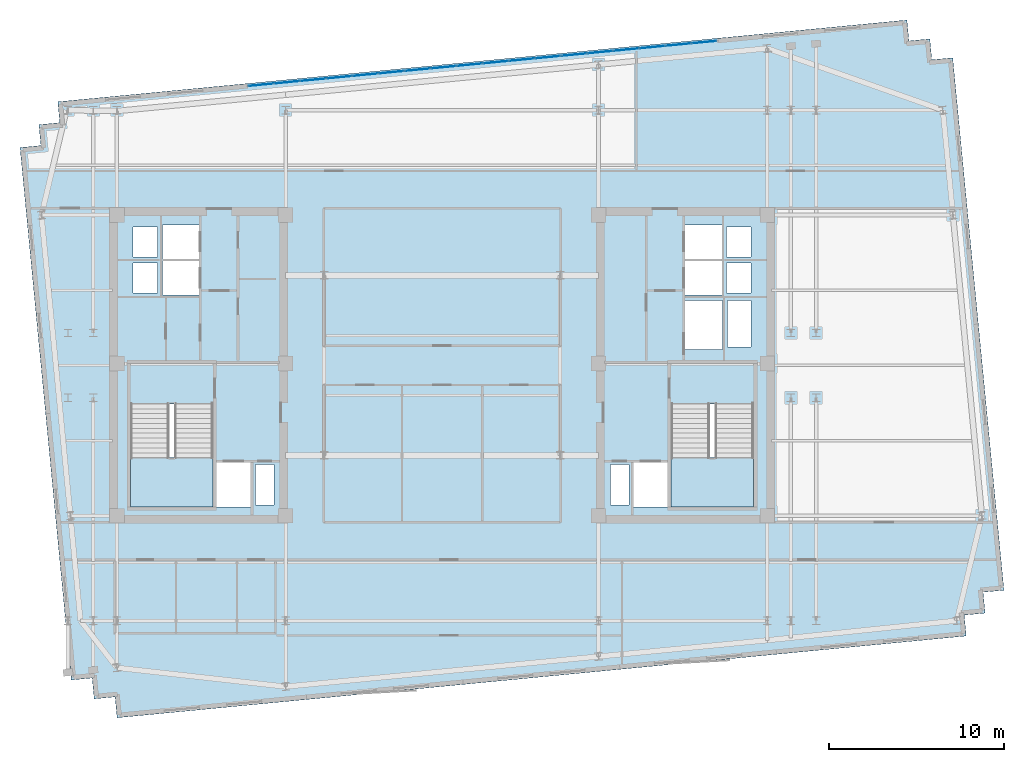
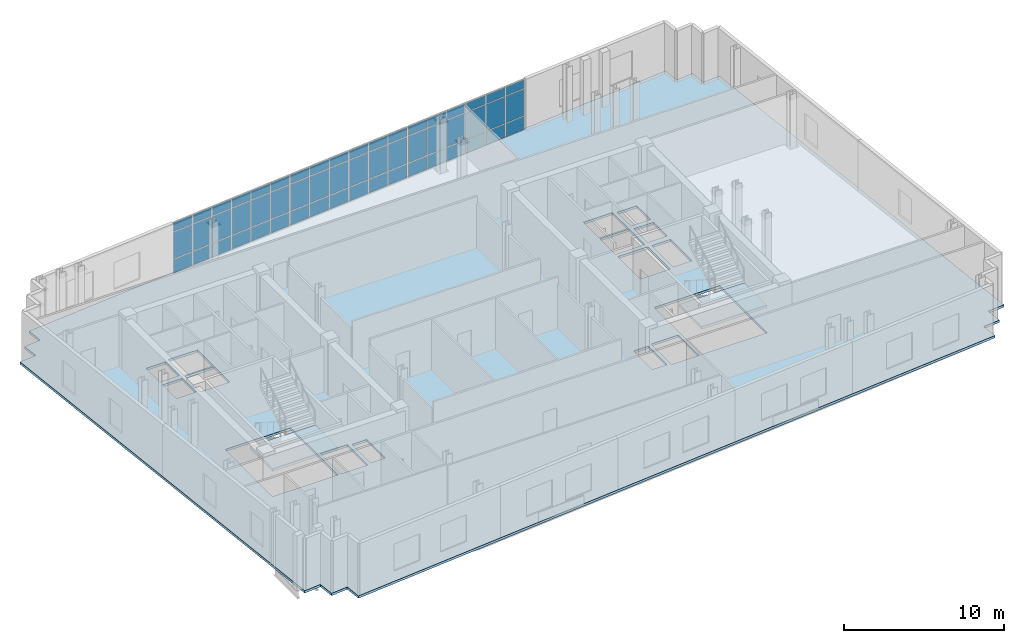
# One storey, part 5 of 11: 54 plates, 3 slabs, 5 elements without a shape of their own.
"""IFC4 building model written with IfcOpenShell, lengths in metres."""

from ifc_helpers import new_model, si_unit, direction, frame, origin, origin_2d, place, context, subcontext, project, spatial, polyline, rectangle, outline, extrude, material, layer, layer_set, type_object, element, aggregate, save


model = new_model("IFC4")

# Units and contexts
model_context = context("Model", 3, precision=1e-05, world=origin(), true_north=direction((0.0, 1.0)))
body_context = subcontext(model_context, "Body", "Model", "MODEL_VIEW")
ifc_project = project(units=[si_unit("LENGTHUNIT", "METRE"), si_unit("AREAUNIT", "SQUARE_METRE"), si_unit("VOLUMEUNIT", "CUBIC_METRE"), si_unit("PLANEANGLEUNIT", "RADIAN"), si_unit("MASSUNIT", "GRAM", prefix="KILO")], contexts=[model_context])

# Site, building, storey
site_placement = place(None, origin())
site = spatial("IfcSite", under=ifc_project, at=site_placement, CompositionType="ELEMENT")
building_placement = place(site_placement, origin())
building = spatial("IfcBuilding", under=site, at=building_placement, Name="Velakula Bourse", CompositionType="ELEMENT")
storey_placement = place(building_placement, frame((0.0, 0.0, 282.75)))
storey = spatial("IfcBuildingStorey", under=building, at=storey_placement, Name="L77", CompositionType="ELEMENT", Elevation=282.75)

# Curtain wall, plates
ifc_material_1 = material(Name="Anodised bronze architectural aluminium", Category="aluminium")
ifc_layer_1 = layer(ifc_material_1, 0.1298828125, Name="Anodised bronze architectural aluminium", Category="aluminium")
ifc_layer_set_1 = layer_set([ifc_layer_1], Name="Anodised bronze architectural aluminium")
curtain_wall_type = type_object("IfcCurtainWallType", Name="CW-OB1", PredefinedType="NOTDEFINED", material=ifc_layer_set_1)
curtain_wall_1_placement = place(storey_placement, origin())
curtain_wall_1 = element("IfcCurtainWall", 1, at=curtain_wall_1_placement, inside=storey, type_object=curtain_wall_type, Name="L77 Public Observation Panoramic Curtain Wall B2", PredefinedType="NOTDEFINED")
ifc_material_2 = material(Name="Double-glazed solar-control Low-E glass", Category="glass")
ifc_layer_2 = layer(ifc_material_2, 0.02001953125, Name="Double-glazed solar-control Low-E glass", Category="glass")
ifc_layer_set_2 = layer_set([ifc_layer_2], Name="Double-glazed solar-control Low-E glass")
plate_type = type_object("IfcPlateType", Name="PNL-CW-OB1", PredefinedType="CURTAIN_PANEL", material=ifc_layer_set_2)
plate_1_placement = place(storey_placement, frame((-10.3583984375, 16.048583984375, 0.06005859375), z_axis=(0.0, 0.0, 1.0), x_axis=(0.995396256016, 0.095845153814, 0.0)))
plate_1 = element("IfcPlate", 2, at=plate_1_placement, type_object=plate_type, Name="CW-OB1 panel 1.1", PredefinedType="CURTAIN_PANEL", context=body_context, shape_type="SweptSolid", body=[
    extrude(rectangle(XDim=1.409912109375, YDim=0.028076171875, at=origin_2d()), origin(), (0.0, 0.0, 1.0), 1.010009765625),
])
plate_2_placement = place(storey_placement, frame((-10.3583984375, 16.048583984375, 1.1298828125), z_axis=(0.0, 0.0, 1.0), x_axis=(0.995396256016, 0.095845153814, 0.0)))
plate_2 = element("IfcPlate", 3, at=plate_2_placement, type_object=plate_type, Name="CW-OB1 panel 1.2", PredefinedType="CURTAIN_PANEL", context=body_context, shape_type="SweptSolid", body=[
    extrude(rectangle(XDim=1.409912109375, YDim=0.028076171875, at=origin_2d()), origin(), (0.0, 0.0, 1.0), 2.02001953125),
])
plate_3_placement = place(storey_placement, frame((-10.3583984375, 16.048583984375, 3.2099609375), z_axis=(0.0, 0.0, 1.0), x_axis=(0.995396256016, 0.095845153814, 0.0)))
plate_3 = element("IfcPlate", 4, at=plate_3_placement, type_object=plate_type, Name="CW-OB1 panel 1.3", PredefinedType="CURTAIN_PANEL", context=body_context, shape_type="SweptSolid", body=[
    extrude(rectangle(XDim=1.409912109375, YDim=0.028076171875, at=origin_2d()), origin(), (0.0, 0.0, 1.0), 0.659912109375),
])
plate_4_placement = place(storey_placement, frame((-8.88037109375, 16.19091796875, 0.06005859375), z_axis=(0.0, 0.0, 1.0), x_axis=(0.995396256016, 0.095845153814, 0.0)))
plate_4 = element("IfcPlate", 5, at=plate_4_placement, type_object=plate_type, Name="CW-OB1 panel 2.1", PredefinedType="CURTAIN_PANEL", context=body_context, shape_type="SweptSolid", body=[
    extrude(rectangle(XDim=1.43994140625, YDim=0.028076171875, at=origin_2d()), origin(), (0.0, 0.0, 1.0), 1.010009765625),
])
plate_5_placement = place(storey_placement, frame((-8.88037109375, 16.19091796875, 1.1298828125), z_axis=(0.0, 0.0, 1.0), x_axis=(0.995396256016, 0.095845153814, 0.0)))
plate_5 = element("IfcPlate", 6, at=plate_5_placement, type_object=plate_type, Name="CW-OB1 panel 2.2", PredefinedType="CURTAIN_PANEL", context=body_context, shape_type="SweptSolid", body=[
    extrude(rectangle(XDim=1.43994140625, YDim=0.028076171875, at=origin_2d()), origin(), (0.0, 0.0, 1.0), 2.02001953125),
])
plate_6_placement = place(storey_placement, frame((-8.88037109375, 16.19091796875, 3.2099609375), z_axis=(0.0, 0.0, 1.0), x_axis=(0.995396256016, 0.095845153814, 0.0)))
plate_6 = element("IfcPlate", 7, at=plate_6_placement, type_object=plate_type, Name="CW-OB1 panel 2.3", PredefinedType="CURTAIN_PANEL", context=body_context, shape_type="SweptSolid", body=[
    extrude(rectangle(XDim=1.43994140625, YDim=0.028076171875, at=origin_2d()), origin(), (0.0, 0.0, 1.0), 0.659912109375),
])
plate_7_placement = place(storey_placement, frame((-7.38720703125, 16.334716796875, 0.06005859375), z_axis=(0.0, 0.0, 1.0), x_axis=(0.995396256016, 0.095845153814, 0.0)))
plate_7 = element("IfcPlate", 8, at=plate_7_placement, type_object=plate_type, Name="CW-OB1 panel 3.1", PredefinedType="CURTAIN_PANEL", context=body_context, shape_type="SweptSolid", body=[
    extrude(rectangle(XDim=1.43994140625, YDim=0.028076171875, at=origin_2d()), origin(), (0.0, 0.0, 1.0), 1.010009765625),
])
plate_8_placement = place(storey_placement, frame((-7.38720703125, 16.334716796875, 1.1298828125), z_axis=(0.0, 0.0, 1.0), x_axis=(0.995396256016, 0.095845153814, 0.0)))
plate_8 = element("IfcPlate", 9, at=plate_8_placement, type_object=plate_type, Name="CW-OB1 panel 3.2", PredefinedType="CURTAIN_PANEL", context=body_context, shape_type="SweptSolid", body=[
    extrude(rectangle(XDim=1.43994140625, YDim=0.028076171875, at=origin_2d()), origin(), (0.0, 0.0, 1.0), 2.02001953125),
])
plate_9_placement = place(storey_placement, frame((-7.38720703125, 16.334716796875, 3.2099609375), z_axis=(0.0, 0.0, 1.0), x_axis=(0.995396256016, 0.095845153814, 0.0)))
plate_9 = element("IfcPlate", 10, at=plate_9_placement, type_object=plate_type, Name="CW-OB1 panel 3.3", PredefinedType="CURTAIN_PANEL", context=body_context, shape_type="SweptSolid", body=[
    extrude(rectangle(XDim=1.43994140625, YDim=0.028076171875, at=origin_2d()), origin(), (0.0, 0.0, 1.0), 0.659912109375),
])
plate_10_placement = place(storey_placement, frame((-5.89404296875, 16.478515625, 0.06005859375), z_axis=(0.0, 0.0, 1.0), x_axis=(0.995396256016, 0.095845153814, 0.0)))
plate_10 = element("IfcPlate", 11, at=plate_10_placement, type_object=plate_type, Name="CW-OB1 panel 4.1", PredefinedType="CURTAIN_PANEL", context=body_context, shape_type="SweptSolid", body=[
    extrude(rectangle(XDim=1.43994140625, YDim=0.028076171875, at=origin_2d()), origin(), (0.0, 0.0, 1.0), 1.010009765625),
])
plate_11_placement = place(storey_placement, frame((-5.89404296875, 16.478515625, 1.1298828125), z_axis=(0.0, 0.0, 1.0), x_axis=(0.995396256016, 0.095845153814, 0.0)))
plate_11 = element("IfcPlate", 12, at=plate_11_placement, type_object=plate_type, Name="CW-OB1 panel 4.2", PredefinedType="CURTAIN_PANEL", context=body_context, shape_type="SweptSolid", body=[
    extrude(rectangle(XDim=1.43994140625, YDim=0.028076171875, at=origin_2d()), origin(), (0.0, 0.0, 1.0), 2.02001953125),
])
plate_12_placement = place(storey_placement, frame((-5.89404296875, 16.478515625, 3.2099609375), z_axis=(0.0, 0.0, 1.0), x_axis=(0.995396256016, 0.095845153814, 0.0)))
plate_12 = element("IfcPlate", 13, at=plate_12_placement, type_object=plate_type, Name="CW-OB1 panel 4.3", PredefinedType="CURTAIN_PANEL", context=body_context, shape_type="SweptSolid", body=[
    extrude(rectangle(XDim=1.43994140625, YDim=0.028076171875, at=origin_2d()), origin(), (0.0, 0.0, 1.0), 0.659912109375),
])
plate_13_placement = place(storey_placement, frame((-4.401123046875, 16.622314453125, 0.06005859375), z_axis=(0.0, 0.0, 1.0), x_axis=(0.995396256016, 0.095845153814, 0.0)))
plate_13 = element("IfcPlate", 14, at=plate_13_placement, type_object=plate_type, Name="CW-OB1 panel 5.1", PredefinedType="CURTAIN_PANEL", context=body_context, shape_type="SweptSolid", body=[
    extrude(rectangle(XDim=1.43994140625, YDim=0.028076171875, at=origin_2d()), origin(), (0.0, 0.0, 1.0), 1.010009765625),
])
plate_14_placement = place(storey_placement, frame((-4.401123046875, 16.622314453125, 1.1298828125), z_axis=(0.0, 0.0, 1.0), x_axis=(0.995396256016, 0.095845153814, 0.0)))
plate_14 = element("IfcPlate", 15, at=plate_14_placement, type_object=plate_type, Name="CW-OB1 panel 5.2", PredefinedType="CURTAIN_PANEL", context=body_context, shape_type="SweptSolid", body=[
    extrude(rectangle(XDim=1.43994140625, YDim=0.028076171875, at=origin_2d()), origin(), (0.0, 0.0, 1.0), 2.02001953125),
])
plate_15_placement = place(storey_placement, frame((-4.401123046875, 16.622314453125, 3.2099609375), z_axis=(0.0, 0.0, 1.0), x_axis=(0.995396256016, 0.095845153814, 0.0)))
plate_15 = element("IfcPlate", 16, at=plate_15_placement, type_object=plate_type, Name="CW-OB1 panel 5.3", PredefinedType="CURTAIN_PANEL", context=body_context, shape_type="SweptSolid", body=[
    extrude(rectangle(XDim=1.43994140625, YDim=0.028076171875, at=origin_2d()), origin(), (0.0, 0.0, 1.0), 0.659912109375),
])
plate_16_placement = place(storey_placement, frame((-2.9228515625, 16.7646484375, 0.06005859375), z_axis=(0.0, 0.0, 1.0), x_axis=(0.995396256016, 0.095845153814, 0.0)))
plate_16 = element("IfcPlate", 17, at=plate_16_placement, type_object=plate_type, Name="CW-OB1 panel 6.1", PredefinedType="CURTAIN_PANEL", context=body_context, shape_type="SweptSolid", body=[
    extrude(rectangle(XDim=1.409912109375, YDim=0.028076171875, at=origin_2d()), origin(), (0.0, 0.0, 1.0), 1.010009765625),
])
plate_17_placement = place(storey_placement, frame((-2.9228515625, 16.7646484375, 1.1298828125), z_axis=(0.0, 0.0, 1.0), x_axis=(0.995396256016, 0.095845153814, 0.0)))
plate_17 = element("IfcPlate", 18, at=plate_17_placement, type_object=plate_type, Name="CW-OB1 panel 6.2", PredefinedType="CURTAIN_PANEL", context=body_context, shape_type="SweptSolid", body=[
    extrude(rectangle(XDim=1.409912109375, YDim=0.028076171875, at=origin_2d()), origin(), (0.0, 0.0, 1.0), 2.02001953125),
])
plate_18_placement = place(storey_placement, frame((-2.9228515625, 16.7646484375, 3.2099609375), z_axis=(0.0, 0.0, 1.0), x_axis=(0.995396256016, 0.095845153814, 0.0)))
plate_18 = element("IfcPlate", 19, at=plate_18_placement, type_object=plate_type, Name="CW-OB1 panel 6.3", PredefinedType="CURTAIN_PANEL", context=body_context, shape_type="SweptSolid", body=[
    extrude(rectangle(XDim=1.409912109375, YDim=0.028076171875, at=origin_2d()), origin(), (0.0, 0.0, 1.0), 0.659912109375),
])
aggregate(curtain_wall_1, [plate_1, plate_2, plate_3, plate_4, plate_5, plate_6, plate_7, plate_8, plate_9, plate_10, plate_11, plate_12, plate_13, plate_14, plate_15, plate_16, plate_17, plate_18])

curtain_wall_2_placement = place(storey_placement, origin())
curtain_wall_2 = element("IfcCurtainWall", 20, at=curtain_wall_2_placement, inside=storey, type_object=curtain_wall_type, Name="L77 Public Observation Panoramic Curtain Wall B3", PredefinedType="NOTDEFINED")
plate_19_placement = place(storey_placement, frame((-1.39990234375, 16.9111328125, 0.06005859375), z_axis=(0.0, 0.0, 1.0), x_axis=(0.995396358085, 0.095844093769, 0.0)))
plate_19 = element("IfcPlate", 21, at=plate_19_placement, type_object=plate_type, Name="CW-OB1 panel 1.1", PredefinedType="CURTAIN_PANEL", context=body_context, shape_type="SweptSolid", body=[
    extrude(rectangle(XDim=1.409912109375, YDim=0.028076171875, at=origin_2d()), origin(), (0.0, 0.0, 1.0), 1.010009765625),
])
plate_20_placement = place(storey_placement, frame((-1.39990234375, 16.9111328125, 1.1298828125), z_axis=(0.0, 0.0, 1.0), x_axis=(0.995396358085, 0.095844093769, 0.0)))
plate_20 = element("IfcPlate", 22, at=plate_20_placement, type_object=plate_type, Name="CW-OB1 panel 1.2", PredefinedType="CURTAIN_PANEL", context=body_context, shape_type="SweptSolid", body=[
    extrude(rectangle(XDim=1.409912109375, YDim=0.028076171875, at=origin_2d()), origin(), (0.0, 0.0, 1.0), 2.02001953125),
])
plate_21_placement = place(storey_placement, frame((-1.39990234375, 16.9111328125, 3.2099609375), z_axis=(0.0, 0.0, 1.0), x_axis=(0.995396358085, 0.095844093769, 0.0)))
plate_21 = element("IfcPlate", 23, at=plate_21_placement, type_object=plate_type, Name="CW-OB1 panel 1.3", PredefinedType="CURTAIN_PANEL", context=body_context, shape_type="SweptSolid", body=[
    extrude(rectangle(XDim=1.409912109375, YDim=0.028076171875, at=origin_2d()), origin(), (0.0, 0.0, 1.0), 0.659912109375),
])
plate_22_placement = place(storey_placement, frame((0.078369140625, 17.053466796875, 0.06005859375), z_axis=(0.0, 0.0, 1.0), x_axis=(0.995396358085, 0.095844093769, 0.0)))
plate_22 = element("IfcPlate", 24, at=plate_22_placement, type_object=plate_type, Name="CW-OB1 panel 2.1", PredefinedType="CURTAIN_PANEL", context=body_context, shape_type="SweptSolid", body=[
    extrude(rectangle(XDim=1.43994140625, YDim=0.028076171875, at=origin_2d()), origin(), (0.0, 0.0, 1.0), 1.010009765625),
])
plate_23_placement = place(storey_placement, frame((0.078369140625, 17.053466796875, 1.1298828125), z_axis=(0.0, 0.0, 1.0), x_axis=(0.995396358085, 0.095844093769, 0.0)))
plate_23 = element("IfcPlate", 25, at=plate_23_placement, type_object=plate_type, Name="CW-OB1 panel 2.2", PredefinedType="CURTAIN_PANEL", context=body_context, shape_type="SweptSolid", body=[
    extrude(rectangle(XDim=1.43994140625, YDim=0.028076171875, at=origin_2d()), origin(), (0.0, 0.0, 1.0), 2.02001953125),
])
plate_24_placement = place(storey_placement, frame((0.078369140625, 17.053466796875, 3.2099609375), z_axis=(0.0, 0.0, 1.0), x_axis=(0.995396358085, 0.095844093769, 0.0)))
plate_24 = element("IfcPlate", 26, at=plate_24_placement, type_object=plate_type, Name="CW-OB1 panel 2.3", PredefinedType="CURTAIN_PANEL", context=body_context, shape_type="SweptSolid", body=[
    extrude(rectangle(XDim=1.43994140625, YDim=0.028076171875, at=origin_2d()), origin(), (0.0, 0.0, 1.0), 0.659912109375),
])
plate_25_placement = place(storey_placement, frame((1.5712890625, 17.197265625, 0.06005859375), z_axis=(0.0, 0.0, 1.0), x_axis=(0.995396358085, 0.095844093769, 0.0)))
plate_25 = element("IfcPlate", 27, at=plate_25_placement, type_object=plate_type, Name="CW-OB1 panel 3.1", PredefinedType="CURTAIN_PANEL", context=body_context, shape_type="SweptSolid", body=[
    extrude(rectangle(XDim=1.43994140625, YDim=0.028076171875, at=origin_2d()), origin(), (0.0, 0.0, 1.0), 1.010009765625),
])
plate_26_placement = place(storey_placement, frame((1.5712890625, 17.197265625, 1.1298828125), z_axis=(0.0, 0.0, 1.0), x_axis=(0.995396358085, 0.095844093769, 0.0)))
plate_26 = element("IfcPlate", 28, at=plate_26_placement, type_object=plate_type, Name="CW-OB1 panel 3.2", PredefinedType="CURTAIN_PANEL", context=body_context, shape_type="SweptSolid", body=[
    extrude(rectangle(XDim=1.43994140625, YDim=0.028076171875, at=origin_2d()), origin(), (0.0, 0.0, 1.0), 2.02001953125),
])
plate_27_placement = place(storey_placement, frame((1.5712890625, 17.197265625, 3.2099609375), z_axis=(0.0, 0.0, 1.0), x_axis=(0.995396358085, 0.095844093769, 0.0)))
plate_27 = element("IfcPlate", 29, at=plate_27_placement, type_object=plate_type, Name="CW-OB1 panel 3.3", PredefinedType="CURTAIN_PANEL", context=body_context, shape_type="SweptSolid", body=[
    extrude(rectangle(XDim=1.43994140625, YDim=0.028076171875, at=origin_2d()), origin(), (0.0, 0.0, 1.0), 0.659912109375),
])
plate_28_placement = place(storey_placement, frame((3.064453125, 17.341064453125, 0.06005859375), z_axis=(0.0, 0.0, 1.0), x_axis=(0.995396358085, 0.095844093769, 0.0)))
plate_28 = element("IfcPlate", 30, at=plate_28_placement, type_object=plate_type, Name="CW-OB1 panel 4.1", PredefinedType="CURTAIN_PANEL", context=body_context, shape_type="SweptSolid", body=[
    extrude(rectangle(XDim=1.43994140625, YDim=0.028076171875, at=origin_2d()), origin(), (0.0, 0.0, 1.0), 1.010009765625),
])
plate_29_placement = place(storey_placement, frame((3.064453125, 17.341064453125, 1.1298828125), z_axis=(0.0, 0.0, 1.0), x_axis=(0.995396358085, 0.095844093769, 0.0)))
plate_29 = element("IfcPlate", 31, at=plate_29_placement, type_object=plate_type, Name="CW-OB1 panel 4.2", PredefinedType="CURTAIN_PANEL", context=body_context, shape_type="SweptSolid", body=[
    extrude(rectangle(XDim=1.43994140625, YDim=0.028076171875, at=origin_2d()), origin(), (0.0, 0.0, 1.0), 2.02001953125),
])
plate_30_placement = place(storey_placement, frame((3.064453125, 17.341064453125, 3.2099609375), z_axis=(0.0, 0.0, 1.0), x_axis=(0.995396358085, 0.095844093769, 0.0)))
plate_30 = element("IfcPlate", 32, at=plate_30_placement, type_object=plate_type, Name="CW-OB1 panel 4.3", PredefinedType="CURTAIN_PANEL", context=body_context, shape_type="SweptSolid", body=[
    extrude(rectangle(XDim=1.43994140625, YDim=0.028076171875, at=origin_2d()), origin(), (0.0, 0.0, 1.0), 0.659912109375),
])
plate_31_placement = place(storey_placement, frame((4.5576171875, 17.48486328125, 0.06005859375), z_axis=(0.0, 0.0, 1.0), x_axis=(0.995396358085, 0.095844093769, 0.0)))
plate_31 = element("IfcPlate", 33, at=plate_31_placement, type_object=plate_type, Name="CW-OB1 panel 5.1", PredefinedType="CURTAIN_PANEL", context=body_context, shape_type="SweptSolid", body=[
    extrude(rectangle(XDim=1.43994140625, YDim=0.028076171875, at=origin_2d()), origin(), (0.0, 0.0, 1.0), 1.010009765625),
])
plate_32_placement = place(storey_placement, frame((4.5576171875, 17.48486328125, 1.1298828125), z_axis=(0.0, 0.0, 1.0), x_axis=(0.995396358085, 0.095844093769, 0.0)))
plate_32 = element("IfcPlate", 34, at=plate_32_placement, type_object=plate_type, Name="CW-OB1 panel 5.2", PredefinedType="CURTAIN_PANEL", context=body_context, shape_type="SweptSolid", body=[
    extrude(rectangle(XDim=1.43994140625, YDim=0.028076171875, at=origin_2d()), origin(), (0.0, 0.0, 1.0), 2.02001953125),
])
plate_33_placement = place(storey_placement, frame((4.5576171875, 17.48486328125, 3.2099609375), z_axis=(0.0, 0.0, 1.0), x_axis=(0.995396358085, 0.095844093769, 0.0)))
plate_33 = element("IfcPlate", 35, at=plate_33_placement, type_object=plate_type, Name="CW-OB1 panel 5.3", PredefinedType="CURTAIN_PANEL", context=body_context, shape_type="SweptSolid", body=[
    extrude(rectangle(XDim=1.43994140625, YDim=0.028076171875, at=origin_2d()), origin(), (0.0, 0.0, 1.0), 0.659912109375),
])
plate_34_placement = place(storey_placement, frame((6.03564453125, 17.627197265625, 0.06005859375), z_axis=(0.0, 0.0, 1.0), x_axis=(0.995396358085, 0.095844093769, 0.0)))
plate_34 = element("IfcPlate", 36, at=plate_34_placement, type_object=plate_type, Name="CW-OB1 panel 6.1", PredefinedType="CURTAIN_PANEL", context=body_context, shape_type="SweptSolid", body=[
    extrude(rectangle(XDim=1.409912109375, YDim=0.028076171875, at=origin_2d()), origin(), (0.0, 0.0, 1.0), 1.010009765625),
])
plate_35_placement = place(storey_placement, frame((6.03564453125, 17.627197265625, 1.1298828125), z_axis=(0.0, 0.0, 1.0), x_axis=(0.995396358085, 0.095844093769, 0.0)))
plate_35 = element("IfcPlate", 37, at=plate_35_placement, type_object=plate_type, Name="CW-OB1 panel 6.2", PredefinedType="CURTAIN_PANEL", context=body_context, shape_type="SweptSolid", body=[
    extrude(rectangle(XDim=1.409912109375, YDim=0.028076171875, at=origin_2d()), origin(), (0.0, 0.0, 1.0), 2.02001953125),
])
plate_36_placement = place(storey_placement, frame((6.03564453125, 17.627197265625, 3.2099609375), z_axis=(0.0, 0.0, 1.0), x_axis=(0.995396358085, 0.095844093769, 0.0)))
plate_36 = element("IfcPlate", 38, at=plate_36_placement, type_object=plate_type, Name="CW-OB1 panel 6.3", PredefinedType="CURTAIN_PANEL", context=body_context, shape_type="SweptSolid", body=[
    extrude(rectangle(XDim=1.409912109375, YDim=0.028076171875, at=origin_2d()), origin(), (0.0, 0.0, 1.0), 0.659912109375),
])
aggregate(curtain_wall_2, [plate_19, plate_20, plate_21, plate_22, plate_23, plate_24, plate_25, plate_26, plate_27, plate_28, plate_29, plate_30, plate_31, plate_32, plate_33, plate_34, plate_35, plate_36])

curtain_wall_3_placement = place(storey_placement, origin())
curtain_wall_3 = element("IfcCurtainWall", 39, at=curtain_wall_3_placement, inside=storey, type_object=curtain_wall_type, Name="L77 Public Observation Panoramic Curtain Wall B4", PredefinedType="NOTDEFINED")
plate_37_placement = place(storey_placement, frame((7.55859375, 17.77392578125, 0.06005859375), z_axis=(0.0, 0.0, 1.0), x_axis=(0.995396358085, 0.095844093769, 0.0)))
plate_37 = element("IfcPlate", 40, at=plate_37_placement, type_object=plate_type, Name="CW-OB1 panel 1.1", PredefinedType="CURTAIN_PANEL", context=body_context, shape_type="SweptSolid", body=[
    extrude(rectangle(XDim=1.409912109375, YDim=0.028076171875, at=origin_2d()), origin(), (0.0, 0.0, 1.0), 1.010009765625),
])
plate_38_placement = place(storey_placement, frame((7.55859375, 17.77392578125, 1.1298828125), z_axis=(0.0, 0.0, 1.0), x_axis=(0.995396358085, 0.095844093769, 0.0)))
plate_38 = element("IfcPlate", 41, at=plate_38_placement, type_object=plate_type, Name="CW-OB1 panel 1.2", PredefinedType="CURTAIN_PANEL", context=body_context, shape_type="SweptSolid", body=[
    extrude(rectangle(XDim=1.409912109375, YDim=0.028076171875, at=origin_2d()), origin(), (0.0, 0.0, 1.0), 2.02001953125),
])
plate_39_placement = place(storey_placement, frame((7.55859375, 17.77392578125, 3.2099609375), z_axis=(0.0, 0.0, 1.0), x_axis=(0.995396358085, 0.095844093769, 0.0)))
plate_39 = element("IfcPlate", 42, at=plate_39_placement, type_object=plate_type, Name="CW-OB1 panel 1.3", PredefinedType="CURTAIN_PANEL", context=body_context, shape_type="SweptSolid", body=[
    extrude(rectangle(XDim=1.409912109375, YDim=0.028076171875, at=origin_2d()), origin(), (0.0, 0.0, 1.0), 0.659912109375),
])
plate_40_placement = place(storey_placement, frame((9.036865234375, 17.916259765625, 0.06005859375), z_axis=(0.0, 0.0, 1.0), x_axis=(0.995396358085, 0.095844093769, 0.0)))
plate_40 = element("IfcPlate", 43, at=plate_40_placement, type_object=plate_type, Name="CW-OB1 panel 2.1", PredefinedType="CURTAIN_PANEL", context=body_context, shape_type="SweptSolid", body=[
    extrude(rectangle(XDim=1.43994140625, YDim=0.028076171875, at=origin_2d()), origin(), (0.0, 0.0, 1.0), 1.010009765625),
])
plate_41_placement = place(storey_placement, frame((9.036865234375, 17.916259765625, 1.1298828125), z_axis=(0.0, 0.0, 1.0), x_axis=(0.995396358085, 0.095844093769, 0.0)))
plate_41 = element("IfcPlate", 44, at=plate_41_placement, type_object=plate_type, Name="CW-OB1 panel 2.2", PredefinedType="CURTAIN_PANEL", context=body_context, shape_type="SweptSolid", body=[
    extrude(rectangle(XDim=1.43994140625, YDim=0.028076171875, at=origin_2d()), origin(), (0.0, 0.0, 1.0), 2.02001953125),
])
plate_42_placement = place(storey_placement, frame((9.036865234375, 17.916259765625, 3.2099609375), z_axis=(0.0, 0.0, 1.0), x_axis=(0.995396358085, 0.095844093769, 0.0)))
plate_42 = element("IfcPlate", 45, at=plate_42_placement, type_object=plate_type, Name="CW-OB1 panel 2.3", PredefinedType="CURTAIN_PANEL", context=body_context, shape_type="SweptSolid", body=[
    extrude(rectangle(XDim=1.43994140625, YDim=0.028076171875, at=origin_2d()), origin(), (0.0, 0.0, 1.0), 0.659912109375),
])
plate_43_placement = place(storey_placement, frame((10.530029296875, 18.059814453125, 0.06005859375), z_axis=(0.0, 0.0, 1.0), x_axis=(0.995396358085, 0.095844093769, 0.0)))
plate_43 = element("IfcPlate", 46, at=plate_43_placement, type_object=plate_type, Name="CW-OB1 panel 3.1", PredefinedType="CURTAIN_PANEL", context=body_context, shape_type="SweptSolid", body=[
    extrude(rectangle(XDim=1.43994140625, YDim=0.028076171875, at=origin_2d()), origin(), (0.0, 0.0, 1.0), 1.010009765625),
])
plate_44_placement = place(storey_placement, frame((10.530029296875, 18.059814453125, 1.1298828125), z_axis=(0.0, 0.0, 1.0), x_axis=(0.995396358085, 0.095844093769, 0.0)))
plate_44 = element("IfcPlate", 47, at=plate_44_placement, type_object=plate_type, Name="CW-OB1 panel 3.2", PredefinedType="CURTAIN_PANEL", context=body_context, shape_type="SweptSolid", body=[
    extrude(rectangle(XDim=1.43994140625, YDim=0.028076171875, at=origin_2d()), origin(), (0.0, 0.0, 1.0), 2.02001953125),
])
plate_45_placement = place(storey_placement, frame((10.530029296875, 18.059814453125, 3.2099609375), z_axis=(0.0, 0.0, 1.0), x_axis=(0.995396358085, 0.095844093769, 0.0)))
plate_45 = element("IfcPlate", 48, at=plate_45_placement, type_object=plate_type, Name="CW-OB1 panel 3.3", PredefinedType="CURTAIN_PANEL", context=body_context, shape_type="SweptSolid", body=[
    extrude(rectangle(XDim=1.43994140625, YDim=0.028076171875, at=origin_2d()), origin(), (0.0, 0.0, 1.0), 0.659912109375),
])
plate_46_placement = place(storey_placement, frame((12.02294921875, 18.20361328125, 0.06005859375), z_axis=(0.0, 0.0, 1.0), x_axis=(0.995396358085, 0.095844093769, 0.0)))
plate_46 = element("IfcPlate", 49, at=plate_46_placement, type_object=plate_type, Name="CW-OB1 panel 4.1", PredefinedType="CURTAIN_PANEL", context=body_context, shape_type="SweptSolid", body=[
    extrude(rectangle(XDim=1.43994140625, YDim=0.028076171875, at=origin_2d()), origin(), (0.0, 0.0, 1.0), 1.010009765625),
])
plate_47_placement = place(storey_placement, frame((12.02294921875, 18.20361328125, 1.1298828125), z_axis=(0.0, 0.0, 1.0), x_axis=(0.995396358085, 0.095844093769, 0.0)))
plate_47 = element("IfcPlate", 50, at=plate_47_placement, type_object=plate_type, Name="CW-OB1 panel 4.2", PredefinedType="CURTAIN_PANEL", context=body_context, shape_type="SweptSolid", body=[
    extrude(rectangle(XDim=1.43994140625, YDim=0.028076171875, at=origin_2d()), origin(), (0.0, 0.0, 1.0), 2.02001953125),
])
plate_48_placement = place(storey_placement, frame((12.02294921875, 18.20361328125, 3.2099609375), z_axis=(0.0, 0.0, 1.0), x_axis=(0.995396358085, 0.095844093769, 0.0)))
plate_48 = element("IfcPlate", 51, at=plate_48_placement, type_object=plate_type, Name="CW-OB1 panel 4.3", PredefinedType="CURTAIN_PANEL", context=body_context, shape_type="SweptSolid", body=[
    extrude(rectangle(XDim=1.43994140625, YDim=0.028076171875, at=origin_2d()), origin(), (0.0, 0.0, 1.0), 0.659912109375),
])
plate_49_placement = place(storey_placement, frame((13.51611328125, 18.347412109375, 0.06005859375), z_axis=(0.0, 0.0, 1.0), x_axis=(0.995396358085, 0.095844093769, 0.0)))
plate_49 = element("IfcPlate", 52, at=plate_49_placement, type_object=plate_type, Name="CW-OB1 panel 5.1", PredefinedType="CURTAIN_PANEL", context=body_context, shape_type="SweptSolid", body=[
    extrude(rectangle(XDim=1.43994140625, YDim=0.028076171875, at=origin_2d()), origin(), (0.0, 0.0, 1.0), 1.010009765625),
])
plate_50_placement = place(storey_placement, frame((13.51611328125, 18.347412109375, 1.1298828125), z_axis=(0.0, 0.0, 1.0), x_axis=(0.995396358085, 0.095844093769, 0.0)))
plate_50 = element("IfcPlate", 53, at=plate_50_placement, type_object=plate_type, Name="CW-OB1 panel 5.2", PredefinedType="CURTAIN_PANEL", context=body_context, shape_type="SweptSolid", body=[
    extrude(rectangle(XDim=1.43994140625, YDim=0.028076171875, at=origin_2d()), origin(), (0.0, 0.0, 1.0), 2.02001953125),
])
plate_51_placement = place(storey_placement, frame((13.51611328125, 18.347412109375, 3.2099609375), z_axis=(0.0, 0.0, 1.0), x_axis=(0.995396358085, 0.095844093769, 0.0)))
plate_51 = element("IfcPlate", 54, at=plate_51_placement, type_object=plate_type, Name="CW-OB1 panel 5.3", PredefinedType="CURTAIN_PANEL", context=body_context, shape_type="SweptSolid", body=[
    extrude(rectangle(XDim=1.43994140625, YDim=0.028076171875, at=origin_2d()), origin(), (0.0, 0.0, 1.0), 0.659912109375),
])
plate_52_placement = place(storey_placement, frame((14.994384765625, 18.48974609375, 0.06005859375), z_axis=(0.0, 0.0, 1.0), x_axis=(0.995396358085, 0.095844093769, 0.0)))
plate_52 = element("IfcPlate", 55, at=plate_52_placement, type_object=plate_type, Name="CW-OB1 panel 6.1", PredefinedType="CURTAIN_PANEL", context=body_context, shape_type="SweptSolid", body=[
    extrude(rectangle(XDim=1.409912109375, YDim=0.028076171875, at=origin_2d()), origin(), (0.0, 0.0, 1.0), 1.010009765625),
])
plate_53_placement = place(storey_placement, frame((14.994384765625, 18.48974609375, 1.1298828125), z_axis=(0.0, 0.0, 1.0), x_axis=(0.995396358085, 0.095844093769, 0.0)))
plate_53 = element("IfcPlate", 56, at=plate_53_placement, type_object=plate_type, Name="CW-OB1 panel 6.2", PredefinedType="CURTAIN_PANEL", context=body_context, shape_type="SweptSolid", body=[
    extrude(rectangle(XDim=1.409912109375, YDim=0.028076171875, at=origin_2d()), origin(), (0.0, 0.0, 1.0), 2.02001953125),
])
plate_54_placement = place(storey_placement, frame((14.994384765625, 18.48974609375, 3.2099609375), z_axis=(0.0, 0.0, 1.0), x_axis=(0.995396358085, 0.095844093769, 0.0)))
plate_54 = element("IfcPlate", 57, at=plate_54_placement, type_object=plate_type, Name="CW-OB1 panel 6.3", PredefinedType="CURTAIN_PANEL", context=body_context, shape_type="SweptSolid", body=[
    extrude(rectangle(XDim=1.409912109375, YDim=0.028076171875, at=origin_2d()), origin(), (0.0, 0.0, 1.0), 0.659912109375),
])
aggregate(curtain_wall_3, [plate_37, plate_38, plate_39, plate_40, plate_41, plate_42, plate_43, plate_44, plate_45, plate_46, plate_47, plate_48, plate_49, plate_50, plate_51, plate_52, plate_53, plate_54])

# Stair, slab
ifc_material_3 = material(Name="Concrete M45 (fck 45 MPa)", Category="concrete")
stair_type = type_object("IfcStairType", Name="STR-DOG-435", PredefinedType="HALF_TURN_STAIR", material=ifc_material_3)
stair_1_placement = place(storey_placement, origin())
stair_1 = element("IfcStair", 58, at=stair_1_placement, inside=storey, type_object=stair_type, Name="L77 West Core Exit Stair ST-W1", PredefinedType="HALF_TURN_STAIR")
ifc_layer_3 = layer(ifc_material_3, 0.199951171875, Name="Concrete M45 (fck 45 MPa)", Category="concrete")
ifc_layer_set_3 = layer_set([ifc_layer_3], Name="Concrete M45 (fck 45 MPa)")
slab_type_1 = type_object("IfcSlabType", Name="SLB-STAIR-LND-200", PredefinedType="LANDING", material=ifc_layer_set_3)
slab_1_placement = place(storey_placement, frame((0.0, 0.0, 1.89990234375)))
slab_1 = element("IfcSlab", 59, at=slab_1_placement, type_object=slab_type_1, Name="ST-W1 landing 1", PredefinedType="LANDING", context=body_context, shape_type="SweptSolid", body=[
    extrude(outline(polyline([(-17.820068359375, -5.280029296875), (-17.820068359375, -8.10009765625), (-13.10009765625, -8.10009765625), (-13.10009765625, -5.280029296875), (-17.820068359375, -5.280029296875)])), origin(), (0.0, 0.0, 1.0), 0.2001953125),
])
aggregate(stair_1, [slab_1])

stair_2_placement = place(storey_placement, origin())
stair_2 = element("IfcStair", 60, at=stair_2_placement, inside=storey, type_object=stair_type, Name="L77 East Core Exit Stair ST-E1", PredefinedType="HALF_TURN_STAIR")
slab_2_placement = place(storey_placement, frame((0.0, 0.0, 1.89990234375)))
slab_2 = element("IfcSlab", 61, at=slab_2_placement, type_object=slab_type_1, Name="ST-E1 landing 1", PredefinedType="LANDING", context=body_context, shape_type="SweptSolid", body=[
    extrude(outline(polyline([(13.10009765625, -5.280029296875), (13.10009765625, -8.10009765625), (17.820068359375, -8.10009765625), (17.820068359375, -5.280029296875), (13.10009765625, -5.280029296875)])), origin(), (0.0, 0.0, 1.0), 0.2001953125),
])
aggregate(stair_2, [slab_2])

# Slab
ifc_material_4 = material(Name="Concrete M50 (fck 50 MPa)", Category="concrete")
ifc_layer_4 = layer(ifc_material_4, 0.179931640625, Name="Concrete M50 (fck 50 MPa)", Category="concrete")
ifc_layer_set_4 = layer_set([ifc_layer_4], Name="Concrete M50 (fck 50 MPa)")
slab_type_2 = type_object("IfcSlabType", Name="SLB-TWR-180", PredefinedType="FLOOR", material=ifc_layer_set_4)
slab_3_placement = place(storey_placement, frame((0.0, 0.0, -0.179931640625)))
element("IfcSlab", 62, at=slab_3_placement, inside=storey, type_object=slab_type_2, Name="L77 Suspended Structural Floor Slab", PredefinedType="FLOOR", context=body_context, shape_type="SweptSolid", body=[
    extrude(outline(polyline([(-18.59130859375, -20.1572265625), (29.984130859375, -15.47998046875), (29.869140625, -14.285400390625), (31.0634765625, -14.17041015625), (30.948486328125, -12.975830078125), (32.14306640625, -12.86083984375), (29.210205078125, 17.59814453125), (28.015625, 17.483154296875), (27.900634765625, 18.677734375), (26.706298828125, 18.562744140625), (26.59130859375, 19.757080078125), (-21.984130859375, 15.079833984375), (-21.869140625, 13.885498046875), (-23.0634765625, 13.7705078125), (-22.948486328125, 12.575927734375), (-24.14306640625, 12.4609375), (-21.210205078125, -17.998291015625), (-20.015625, -17.88330078125), (-19.900634765625, -19.07763671875), (-18.706298828125, -18.962646484375), (-18.59130859375, -20.1572265625)]), holes=[polyline([(-17.820068359375, -8.10009765625), (-13.10009765625, -8.10009765625), (-13.10009765625, -2.199951171875), (-17.820068359375, -2.199951171875), (-17.820068359375, -8.10009765625)]), polyline([(13.10009765625, -8.10009765625), (17.820068359375, -8.10009765625), (17.820068359375, -2.199951171875), (13.10009765625, -2.199951171875), (13.10009765625, -8.10009765625)]), polyline([(-12.89990234375, -8.10009765625), (-10.949951171875, -8.10009765625), (-10.949951171875, -5.550048828125), (-12.89990234375, -5.550048828125), (-12.89990234375, -8.10009765625)]), polyline([(10.949951171875, -8.10009765625), (12.89990234375, -8.10009765625), (12.89990234375, -5.550048828125), (10.949951171875, -5.550048828125), (10.949951171875, -8.10009765625)]), polyline([(13.89990234375, 0.919921875), (16.050048828125, 0.919921875), (16.050048828125, 3.719970703125), (13.89990234375, 3.719970703125), (13.89990234375, 0.919921875)]), polyline([(-10.679931640625, -7.97998046875), (-9.6201171875, -7.97998046875), (-9.6201171875, -5.669921875), (-10.679931640625, -5.669921875), (-10.679931640625, -7.97998046875)]), polyline([(-17.679931640625, 4.139892578125), (-16.27001953125, 4.139892578125), (-16.27001953125, 5.85009765625), (-17.679931640625, 5.85009765625), (-17.679931640625, 4.139892578125)]), polyline([(-17.679931640625, 6.2099609375), (-16.27001953125, 6.2099609375), (-16.27001953125, 7.919921875), (-17.679931640625, 7.919921875), (-17.679931640625, 6.2099609375)]), polyline([(9.6201171875, -7.97998046875), (10.679931640625, -7.97998046875), (10.679931640625, -5.669921875), (9.6201171875, -5.669921875), (9.6201171875, -7.97998046875)]), polyline([(16.27001953125, 4.139892578125), (17.679931640625, 4.139892578125), (17.679931640625, 5.85009765625), (16.27001953125, 5.85009765625), (16.27001953125, 4.139892578125)]), polyline([(16.27001953125, 6.2099609375), (17.679931640625, 6.2099609375), (17.679931640625, 7.919921875), (16.27001953125, 7.919921875), (16.27001953125, 6.2099609375)]), polyline([(16.320068359375, 1.0400390625), (17.679931640625, 1.0400390625), (17.679931640625, 3.699951171875), (16.320068359375, 3.699951171875), (16.320068359375, 1.0400390625)]), polyline([(-16.0, 4.02001953125), (-13.89990234375, 4.02001953125), (-13.89990234375, 5.969970703125), (-16.0, 5.969970703125), (-16.0, 4.02001953125)]), polyline([(-16.0, 6.090087890625), (-13.89990234375, 6.090087890625), (-13.89990234375, 8.0400390625), (-16.0, 8.0400390625), (-16.0, 6.090087890625)]), polyline([(13.89990234375, 4.02001953125), (16.0, 4.02001953125), (16.0, 5.969970703125), (13.89990234375, 5.969970703125), (13.89990234375, 4.02001953125)]), polyline([(13.89990234375, 6.090087890625), (16.0, 6.090087890625), (16.0, 8.0400390625), (13.89990234375, 8.0400390625), (13.89990234375, 6.090087890625)])]), origin(), (0.0, 0.0, 1.0), 0.179931640625),
])

save(model, "model.ifc")
